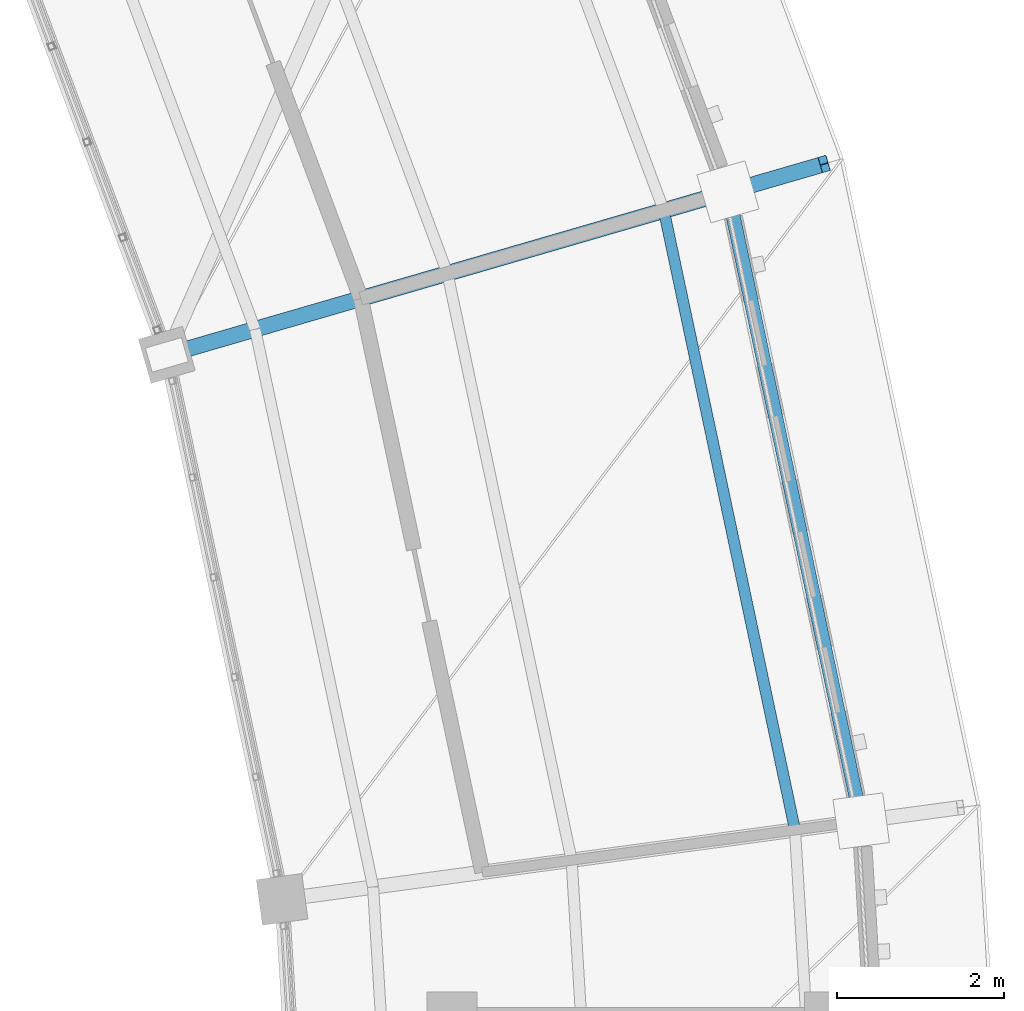
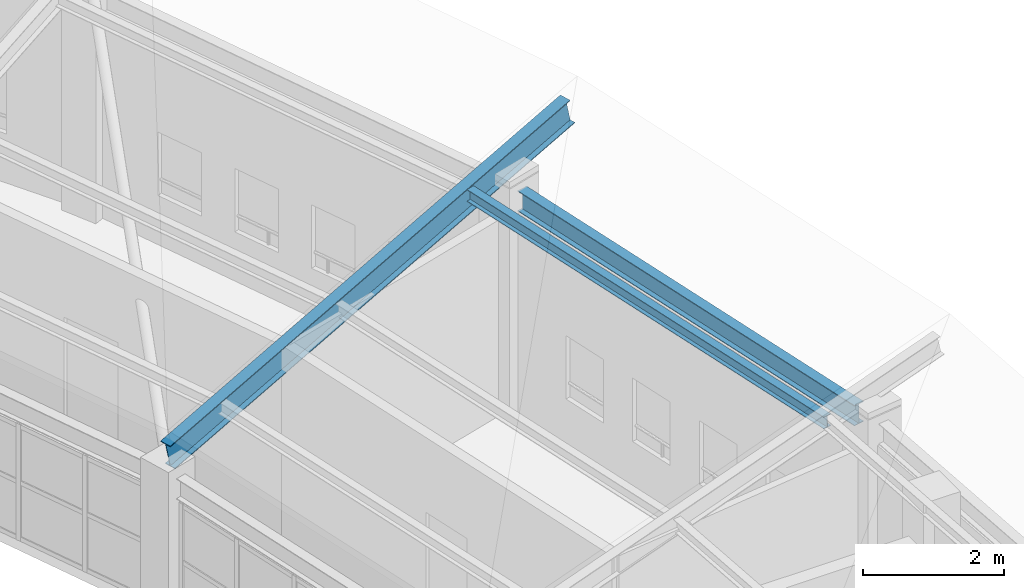
# One storey, part 97 of 149: 2 members, 1 beam.
"""IFC4 building model written with IfcOpenShell, lengths in metres."""

from ifc_helpers import new_model, si_unit, direction, frame, origin, origin_2d, place, context, subcontext, project, spatial, i_section, extrude, material, material_profile, profile_set, type_object, element, save


model = new_model("IFC4")

# Units and contexts
model_context = context("Model", 3, precision=1e-05, world=origin(), true_north=direction((0.0, 1.0)))
body_context = subcontext(model_context, "Body", "Model", "MODEL_VIEW")
ifc_project = project(units=[si_unit("LENGTHUNIT", "METRE"), si_unit("AREAUNIT", "SQUARE_METRE"), si_unit("VOLUMEUNIT", "CUBIC_METRE"), si_unit("PLANEANGLEUNIT", "RADIAN"), si_unit("MASSUNIT", "GRAM", prefix="KILO")], contexts=[model_context])

# Site, building, storey
site_placement = place(None, origin())
site = spatial("IfcSite", under=ifc_project, at=site_placement, CompositionType="ELEMENT")
building_placement = place(site_placement, origin())
building = spatial("IfcBuilding", under=site, at=building_placement, Name="Celadon Cloister-Ring School", CompositionType="ELEMENT")
storey_placement = place(building_placement, frame((0.0, 0.0, 12.5)))
storey = spatial("IfcBuildingStorey", under=building, at=storey_placement, Name="L03", CompositionType="ELEMENT", Elevation=12.5)

# Members
ifc_material_1 = material(Name="Structural steel S355JR", Category="steel")
ifc_material_profile_1 = material_profile(ifc_material_1, i_section(OverallWidth=0.133056640625, OverallDepth=0.20703125, WebThickness=0.005859375, FlangeThickness=0.00830078125, at=origin_2d()), Name="W200X27")
ifc_profile_set_1 = profile_set([ifc_material_profile_1], Name="Structural steel S355JR")
member_type_1 = type_object("IfcMemberType", Name="MP-04", PredefinedType="PURLIN", material=ifc_profile_set_1)
member_1_placement = place(storey_placement, frame((137.738037109375, 65.864013671875, 4.073974609375), z_axis=(-0.207141083423, 0.978311081179, 0.0), x_axis=(-0.978311081179, -0.207141083423, 0.0)))
element("IfcMember", 1, at=member_1_placement, inside=storey, type_object=member_type_1, Name="Structural Member 0228", PredefinedType="PURLIN", context=body_context, shape_type="SweptSolid", body=[
    extrude(i_section(OverallWidth=0.133056640625, OverallDepth=0.20703125, WebThickness=0.005859375, FlangeThickness=0.00830078125, at=origin_2d()), origin(), (0.0, 0.0, 1.0), 7.58447265625),
])
ifc_material_2 = material(Name="Structural steel S355JR", Category="steel")
ifc_material_profile_2 = material_profile(ifc_material_2, i_section(OverallWidth=0.18994140625, OverallDepth=0.45703125, WebThickness=0.009033203125, FlangeThickness=0.014404296875, at=origin_2d()), Name="W460X74")
ifc_profile_set_2 = profile_set([ifc_material_profile_2], Name="Structural steel S355JR")
member_type_2 = type_object("IfcMemberType", Name="MR-03", PredefinedType="RAFTER", material=ifc_profile_set_2)
member_2_placement = place(storey_placement, frame((130.212890625, 71.554931640625, 2.674072265625), z_axis=(0.936654479935, 0.272029364088, 0.220631843333), x_axis=(-0.278902309045, 0.960319479137, 0.0)))
element("IfcMember", 2, at=member_2_placement, inside=storey, type_object=member_type_2, Name="Structural Member 0062", PredefinedType="RAFTER", context=body_context, shape_type="SweptSolid", body=[
    extrude(i_section(OverallWidth=0.18994140625, OverallDepth=0.45703125, WebThickness=0.009033203125, FlangeThickness=0.014404296875, at=origin_2d()), origin(), (0.0, 0.0, 1.0), 8.407470703125),
])

# Beam
ifc_material_3 = material(Name="Structural steel S355JR", Category="steel")
ifc_material_profile_3 = material_profile(ifc_material_3, i_section(OverallWidth=0.1708984375, OverallDepth=0.35498046875, WebThickness=0.007080078125, FlangeThickness=0.01171875, at=origin_2d()), Name="W360X51")
ifc_profile_set_3 = profile_set([ifc_material_profile_3], Name="Structural steel S355JR")
beam_type = type_object("IfcBeamType", Name="SP-04", PredefinedType="SPANDREL", material=ifc_profile_set_3)
beam_placement = place(storey_placement, frame((138.47412109375, 66.239990234375, 3.722900390625), z_axis=(-0.207174668575, 0.97830396948, 0.0), x_axis=(-0.97830396948, -0.207174668575, 0.0)))
element("IfcBeam", 3, at=beam_placement, inside=storey, type_object=beam_type, Name="Beam 0579", PredefinedType="SPANDREL", context=body_context, shape_type="SweptSolid", body=[
    extrude(i_section(OverallWidth=0.1708984375, OverallDepth=0.35498046875, WebThickness=0.007080078125, FlangeThickness=0.01171875, at=origin_2d()), origin(), (0.0, 0.0, 1.0), 7.154296875),
])

save(model, "model.ifc")
